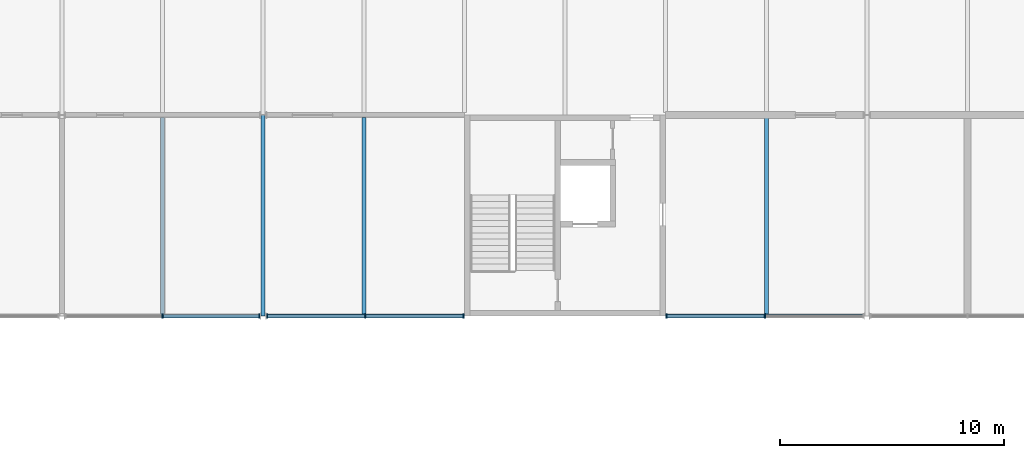
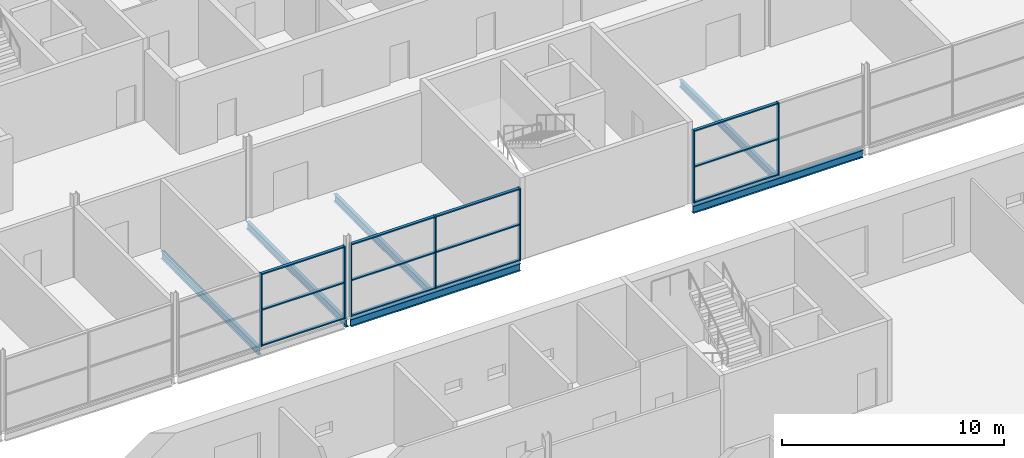
# One storey, part 45 of 97: 19 members, 6 beams, 3 elements without a shape of their own.
"""IFC4 building model written with IfcOpenShell, lengths in metres."""

from ifc_helpers import new_model, si_unit, direction, frame, origin, origin_2d, place, context, subcontext, project, spatial, rectangle, i_section, extrude, material, layer, layer_set, material_profile, profile_set, type_object, element, aggregate, save


model = new_model("IFC4")

# Units and contexts
model_context = context("Model", 3, precision=1e-05, world=origin(), true_north=direction((0.0, 1.0)))
body_context = subcontext(model_context, "Body", "Model", "MODEL_VIEW")
ifc_project = project(units=[si_unit("LENGTHUNIT", "METRE"), si_unit("AREAUNIT", "SQUARE_METRE"), si_unit("VOLUMEUNIT", "CUBIC_METRE"), si_unit("PLANEANGLEUNIT", "RADIAN"), si_unit("MASSUNIT", "GRAM", prefix="KILO")], contexts=[model_context])

# Site, building, storey
site_placement = place(None, origin())
site = spatial("IfcSite", under=ifc_project, at=site_placement, CompositionType="ELEMENT")
building_placement = place(site_placement, origin())
building = spatial("IfcBuilding", under=site, at=building_placement, Name="Corbel Yard City Hall", CompositionType="ELEMENT")
storey_placement = place(building_placement, frame((0.0, 0.0, 6.0)))
storey = spatial("IfcBuildingStorey", under=building, at=storey_placement, Name="L01", CompositionType="ELEMENT", Elevation=6.0)

# Beams
ifc_material_1 = material(Name="Steel Grade 300 (300 MPa yield)", Category="steel")
ifc_material_profile_1 = material_profile(ifc_material_1, i_section(OverallWidth=0.177978515625, OverallDepth=0.403076171875, WebThickness=0.007568359375, FlangeThickness=0.010986328125, at=origin_2d()), Name="410UB53.7")
ifc_profile_set_1 = profile_set([ifc_material_profile_1], Name="Steel Grade 300 (300 MPa yield)")
beam_type_1 = type_object("IfcBeamType", Name="Beam 410UB53.7", PredefinedType="BEAM", material=ifc_profile_set_1)
beam_placement = place(storey_placement, frame((72.0, 90.005859375, -0.3515625), z_axis=(0.0, 1.0, 0.0), x_axis=(-1.0, 0.0, 0.0)))
element("IfcBeam", 1, at=beam_placement, inside=storey, type_object=beam_type_1, Name="Beam 410UB53.7 SB6 L01floor", PredefinedType="BEAM", context=body_context, shape_type="SweptSolid", body=[
    extrude(i_section(OverallWidth=0.177978515625, OverallDepth=0.403076171875, WebThickness=0.007568359375, FlangeThickness=0.010986328125, at=origin_2d()), origin(), (0.0, 0.0, 1.0), 8.986328125),
])
ifc_material_profile_2 = material_profile(ifc_material_1, i_section(OverallWidth=0.177978515625, OverallDepth=0.406005859375, WebThickness=0.0078125, FlangeThickness=0.0126953125, at=origin_2d()), Name="410UB59.7")
ifc_profile_set_2 = profile_set([ifc_material_profile_2], Name="Steel Grade 300 (300 MPa yield)")
beam_type_2 = type_object("IfcBeamType", Name="Edge beam 410UB59.7", PredefinedType="BEAM", material=ifc_profile_set_2)
for number, where, z_axis, x_axis, name in (
    (2, (72.157470703125, 90.0, -0.35302734375), (1.0, 0.0, 0.0), (0.0, 1.0, 0.0), "Edge beam 410UB59.7 EB2 L01floor"),
    (3, (90.0, 90.0, -0.35302734375), (1.0, 0.0, 0.0), (0.0, 1.0, 0.0), "Edge beam 410UB59.7 EB2 L01floor"),
):
    element("IfcBeam", number, at=place(storey_placement, frame(where, z_axis=z_axis, x_axis=x_axis)), inside=storey, type_object=beam_type_2, Name=name, PredefinedType="BEAM", context=body_context, shape_type="SweptSolid", body=[
        extrude(i_section(OverallWidth=0.177978515625, OverallDepth=0.406005859375, WebThickness=0.0078125, FlangeThickness=0.0126953125, at=origin_2d()), origin(), (0.0, 0.0, 1.0), 8.842529296875),
    ])

# Curtain wall, members
ifc_material_2 = material(Name="Aluminium extrusion", Category="aluminium")
ifc_layer = layer(ifc_material_2, 0.199951171875)
ifc_layer_set = layer_set([ifc_layer], Name="Aluminium extrusion")
curtain_wall_type = type_object("IfcCurtainWallType", Name="CW1", PredefinedType="USERDEFINED", material=ifc_layer_set)
curtain_wall_1_placement = place(storey_placement, origin())
curtain_wall_1 = element("IfcCurtainWall", 4, at=curtain_wall_1_placement, inside=storey, type_object=curtain_wall_type, Name="Curtain wall CW1 L01", ObjectType="CURTAIN WALL", PredefinedType="USERDEFINED")
ifc_material_profile_3 = material_profile(ifc_material_2, rectangle(XDim=0.199951171875, YDim=0.06494140625, at=origin_2d()), Name="200x65")
ifc_profile_set_3 = profile_set([ifc_material_profile_3], Name="Aluminium extrusion")
member_type_1 = type_object("IfcMemberType", Name="ML1", PredefinedType="MULLION", material=ifc_profile_set_3)
member_1_placement = place(storey_placement, frame((67.5, 90.0, 0.0), z_axis=(0.0, 0.0, 1.0), x_axis=(0.0, 1.0, 0.0)))
member_1 = element("IfcMember", 5, at=member_1_placement, type_object=member_type_1, Name="CW1 mullion 2", PredefinedType="MULLION", context=body_context, shape_type="SweptSolid", body=[
    extrude(rectangle(XDim=0.199951171875, YDim=0.06494140625, at=origin_2d()), origin(), (0.0, 0.0, 1.0), 3.990966796875),
])
member_2_placement = place(storey_placement, frame((71.83740234375, 90.0, 0.0), z_axis=(0.0, 0.0, 1.0), x_axis=(0.0, 1.0, 0.0)))
member_2 = element("IfcMember", 6, at=member_2_placement, type_object=member_type_1, Name="CW1 mullion 3", PredefinedType="MULLION", context=body_context, shape_type="SweptSolid", body=[
    extrude(rectangle(XDim=0.199951171875, YDim=0.06494140625, at=origin_2d()), origin(), (0.0, 0.0, 1.0), 3.990966796875),
])

curtain_wall_2_placement = place(storey_placement, origin())
curtain_wall_2 = element("IfcCurtainWall", 7, at=curtain_wall_2_placement, inside=storey, type_object=curtain_wall_type, Name="Curtain wall CW1 L01", ObjectType="CURTAIN WALL", PredefinedType="USERDEFINED")
member_3_placement = place(storey_placement, frame((72.16259765625, 90.0, 0.0), z_axis=(0.0, 0.0, 1.0), x_axis=(0.0, 1.0, 0.0)))
member_3 = element("IfcMember", 8, at=member_3_placement, type_object=member_type_1, Name="CW1 mullion 1", PredefinedType="MULLION", context=body_context, shape_type="SweptSolid", body=[
    extrude(rectangle(XDim=0.199951171875, YDim=0.06494140625, at=origin_2d()), origin(), (0.0, 0.0, 1.0), 3.990966796875),
])
member_4_placement = place(storey_placement, frame((76.56494140625, 90.0, 0.0), z_axis=(0.0, 0.0, 1.0), x_axis=(0.0, 1.0, 0.0)))
member_4 = element("IfcMember", 9, at=member_4_placement, type_object=member_type_1, Name="CW1 mullion 2", PredefinedType="MULLION", context=body_context, shape_type="SweptSolid", body=[
    extrude(rectangle(XDim=0.199951171875, YDim=0.06494140625, at=origin_2d()), origin(), (0.0, 0.0, 1.0), 3.990966796875),
])
member_5_placement = place(storey_placement, frame((80.967529296875, 90.0, 0.0), z_axis=(0.0, 0.0, 1.0), x_axis=(0.0, 1.0, 0.0)))
member_5 = element("IfcMember", 10, at=member_5_placement, type_object=member_type_1, Name="CW1 mullion 3", PredefinedType="MULLION", context=body_context, shape_type="SweptSolid", body=[
    extrude(rectangle(XDim=0.199951171875, YDim=0.06494140625, at=origin_2d()), origin(), (0.0, 0.0, 1.0), 3.990966796875),
])

curtain_wall_3_placement = place(storey_placement, origin())
curtain_wall_3 = element("IfcCurtainWall", 11, at=curtain_wall_3_placement, inside=storey, type_object=curtain_wall_type, Name="Curtain wall CW1 L01", ObjectType="CURTAIN WALL", PredefinedType="USERDEFINED")
member_6_placement = place(storey_placement, frame((90.032470703125, 90.0, 0.0), z_axis=(0.0, 0.0, 1.0), x_axis=(0.0, 1.0, 0.0)))
member_6 = element("IfcMember", 12, at=member_6_placement, type_object=member_type_1, Name="CW1 mullion 1", PredefinedType="MULLION", context=body_context, shape_type="SweptSolid", body=[
    extrude(rectangle(XDim=0.199951171875, YDim=0.06494140625, at=origin_2d()), origin(), (0.0, 0.0, 1.0), 3.990966796875),
])
member_7_placement = place(storey_placement, frame((94.43505859375, 90.0, 0.0), z_axis=(0.0, 0.0, 1.0), x_axis=(0.0, 1.0, 0.0)))
member_7 = element("IfcMember", 13, at=member_7_placement, type_object=member_type_1, Name="CW1 mullion 2", PredefinedType="MULLION", context=body_context, shape_type="SweptSolid", body=[
    extrude(rectangle(XDim=0.199951171875, YDim=0.06494140625, at=origin_2d()), origin(), (0.0, 0.0, 1.0), 3.990966796875),
])

# Beams
ifc_material_profile_4 = material_profile(ifc_material_1, i_section(OverallWidth=0.177978515625, OverallDepth=0.403076171875, WebThickness=0.007568359375, FlangeThickness=0.010986328125, at=origin_2d()), Name="410UB53.7")
ifc_profile_set_4 = profile_set([ifc_material_profile_4], Name="Steel Grade 300 (300 MPa yield)")
beam_type_3 = type_object("IfcBeamType", Name="Secondary beam 410UB53.7", PredefinedType="JOIST", material=ifc_profile_set_4)
for number, where, z_axis, x_axis, name in (
    (14, (67.5, 90.089111328125, -0.3515625), (0.0, 1.0, 0.0), (-1.0, 0.0, 0.0), "Secondary beam 410UB53.7 SB5 L01floor"),
    (15, (76.5, 90.089111328125, -0.3515625), (0.0, 1.0, 0.0), (-1.0, 0.0, 0.0), "Secondary beam 410UB53.7 SB5 L01floor"),
    (16, (94.5, 90.089111328125, -0.3515625), (0.0, 1.0, 0.0), (-1.0, 0.0, 0.0), "Secondary beam 410UB53.7 SB5 L01floor"),
):
    element("IfcBeam", number, at=place(storey_placement, frame(where, z_axis=z_axis, x_axis=x_axis)), inside=storey, type_object=beam_type_3, Name=name, PredefinedType="JOIST", context=body_context, shape_type="SweptSolid", body=[
        extrude(i_section(OverallWidth=0.177978515625, OverallDepth=0.403076171875, WebThickness=0.007568359375, FlangeThickness=0.010986328125, at=origin_2d()), origin(), (0.0, 0.0, 1.0), 8.806396484375),
    ])

# Member
ifc_material_profile_5 = material_profile(ifc_material_2, rectangle(XDim=0.14990234375, YDim=0.06494140625, at=origin_2d()), Name="150x65")
ifc_profile_set_5 = profile_set([ifc_material_profile_5], Name="Aluminium extrusion")
member_type_2 = type_object("IfcMemberType", Name="TR1", PredefinedType="USERDEFINED", material=ifc_profile_set_5)
member_8_placement = place(storey_placement, frame((67.532470703125, 90.0, 0.032470703125), z_axis=(1.0, 0.0, 0.0), x_axis=(0.0, 1.0, 0.0)))
member_8 = element("IfcMember", 17, at=member_8_placement, type_object=member_type_2, Name="CW1 transom 2.1", ObjectType="TRANSOM", PredefinedType="USERDEFINED", context=body_context, shape_type="SweptSolid", body=[
    extrude(rectangle(XDim=0.14990234375, YDim=0.06494140625, at=origin_2d()), origin(), (0.0, 0.0, 1.0), 4.2724609375),
])

member_9_placement = place(storey_placement, frame((67.532470703125, 90.0, 1.99560546875), z_axis=(1.0, 0.0, 0.0), x_axis=(0.0, 1.0, 0.0)))
member_9 = element("IfcMember", 18, at=member_9_placement, type_object=member_type_2, Name="CW1 transom 2.2", ObjectType="TRANSOM", PredefinedType="USERDEFINED", context=body_context, shape_type="SweptSolid", body=[
    extrude(rectangle(XDim=0.14990234375, YDim=0.06494140625, at=origin_2d()), origin(), (0.0, 0.0, 1.0), 4.2724609375),
])

member_10_placement = place(storey_placement, frame((67.532470703125, 90.0, 3.95849609375), z_axis=(1.0, 0.0, 0.0), x_axis=(0.0, 1.0, 0.0)))
member_10 = element("IfcMember", 19, at=member_10_placement, type_object=member_type_2, Name="CW1 transom 2.3", ObjectType="TRANSOM", PredefinedType="USERDEFINED", context=body_context, shape_type="SweptSolid", body=[
    extrude(rectangle(XDim=0.14990234375, YDim=0.06494140625, at=origin_2d()), origin(), (0.0, 0.0, 1.0), 4.2724609375),
])

aggregate(curtain_wall_1, [member_1, member_2, member_8, member_9, member_10])

member_11_placement = place(storey_placement, frame((72.195068359375, 90.0, 0.032470703125), z_axis=(1.0, 0.0, 0.0), x_axis=(0.0, 1.0, 0.0)))
member_11 = element("IfcMember", 20, at=member_11_placement, type_object=member_type_2, Name="CW1 transom 1.1", ObjectType="TRANSOM", PredefinedType="USERDEFINED", context=body_context, shape_type="SweptSolid", body=[
    extrude(rectangle(XDim=0.14990234375, YDim=0.06494140625, at=origin_2d()), origin(), (0.0, 0.0, 1.0), 4.33740234375),
])

member_12_placement = place(storey_placement, frame((72.195068359375, 90.0, 1.99560546875), z_axis=(1.0, 0.0, 0.0), x_axis=(0.0, 1.0, 0.0)))
member_12 = element("IfcMember", 21, at=member_12_placement, type_object=member_type_2, Name="CW1 transom 1.2", ObjectType="TRANSOM", PredefinedType="USERDEFINED", context=body_context, shape_type="SweptSolid", body=[
    extrude(rectangle(XDim=0.14990234375, YDim=0.06494140625, at=origin_2d()), origin(), (0.0, 0.0, 1.0), 4.33740234375),
])

member_13_placement = place(storey_placement, frame((72.195068359375, 90.0, 3.95849609375), z_axis=(1.0, 0.0, 0.0), x_axis=(0.0, 1.0, 0.0)))
member_13 = element("IfcMember", 22, at=member_13_placement, type_object=member_type_2, Name="CW1 transom 1.3", ObjectType="TRANSOM", PredefinedType="USERDEFINED", context=body_context, shape_type="SweptSolid", body=[
    extrude(rectangle(XDim=0.14990234375, YDim=0.06494140625, at=origin_2d()), origin(), (0.0, 0.0, 1.0), 4.33740234375),
])

member_14_placement = place(storey_placement, frame((76.597412109375, 90.0, 0.032470703125), z_axis=(1.0, 0.0, 0.0), x_axis=(0.0, 1.0, 0.0)))
member_14 = element("IfcMember", 23, at=member_14_placement, type_object=member_type_2, Name="CW1 transom 2.1", ObjectType="TRANSOM", PredefinedType="USERDEFINED", context=body_context, shape_type="SweptSolid", body=[
    extrude(rectangle(XDim=0.14990234375, YDim=0.06494140625, at=origin_2d()), origin(), (0.0, 0.0, 1.0), 4.337646484375),
])

member_15_placement = place(storey_placement, frame((76.597412109375, 90.0, 1.99560546875), z_axis=(1.0, 0.0, 0.0), x_axis=(0.0, 1.0, 0.0)))
member_15 = element("IfcMember", 24, at=member_15_placement, type_object=member_type_2, Name="CW1 transom 2.2", ObjectType="TRANSOM", PredefinedType="USERDEFINED", context=body_context, shape_type="SweptSolid", body=[
    extrude(rectangle(XDim=0.14990234375, YDim=0.06494140625, at=origin_2d()), origin(), (0.0, 0.0, 1.0), 4.337646484375),
])

member_16_placement = place(storey_placement, frame((76.597412109375, 90.0, 3.95849609375), z_axis=(1.0, 0.0, 0.0), x_axis=(0.0, 1.0, 0.0)))
member_16 = element("IfcMember", 25, at=member_16_placement, type_object=member_type_2, Name="CW1 transom 2.3", ObjectType="TRANSOM", PredefinedType="USERDEFINED", context=body_context, shape_type="SweptSolid", body=[
    extrude(rectangle(XDim=0.14990234375, YDim=0.06494140625, at=origin_2d()), origin(), (0.0, 0.0, 1.0), 4.337646484375),
])

aggregate(curtain_wall_2, [member_3, member_4, member_5, member_11, member_12, member_13, member_14, member_15, member_16])

member_17_placement = place(storey_placement, frame((90.06494140625, 90.0, 0.032470703125), z_axis=(1.0, 0.0, 0.0), x_axis=(0.0, 1.0, 0.0)))
member_17 = element("IfcMember", 26, at=member_17_placement, type_object=member_type_2, Name="CW1 transom 1.1", ObjectType="TRANSOM", PredefinedType="USERDEFINED", context=body_context, shape_type="SweptSolid", body=[
    extrude(rectangle(XDim=0.14990234375, YDim=0.06494140625, at=origin_2d()), origin(), (0.0, 0.0, 1.0), 4.337646484375),
])

member_18_placement = place(storey_placement, frame((90.06494140625, 90.0, 1.99560546875), z_axis=(1.0, 0.0, 0.0), x_axis=(0.0, 1.0, 0.0)))
member_18 = element("IfcMember", 27, at=member_18_placement, type_object=member_type_2, Name="CW1 transom 1.2", ObjectType="TRANSOM", PredefinedType="USERDEFINED", context=body_context, shape_type="SweptSolid", body=[
    extrude(rectangle(XDim=0.14990234375, YDim=0.06494140625, at=origin_2d()), origin(), (0.0, 0.0, 1.0), 4.337646484375),
])

member_19_placement = place(storey_placement, frame((90.06494140625, 90.0, 3.95849609375), z_axis=(1.0, 0.0, 0.0), x_axis=(0.0, 1.0, 0.0)))
member_19 = element("IfcMember", 28, at=member_19_placement, type_object=member_type_2, Name="CW1 transom 1.3", ObjectType="TRANSOM", PredefinedType="USERDEFINED", context=body_context, shape_type="SweptSolid", body=[
    extrude(rectangle(XDim=0.14990234375, YDim=0.06494140625, at=origin_2d()), origin(), (0.0, 0.0, 1.0), 4.337646484375),
])

aggregate(curtain_wall_3, [member_6, member_7, member_17, member_18, member_19])

save(model, "model.ifc")
